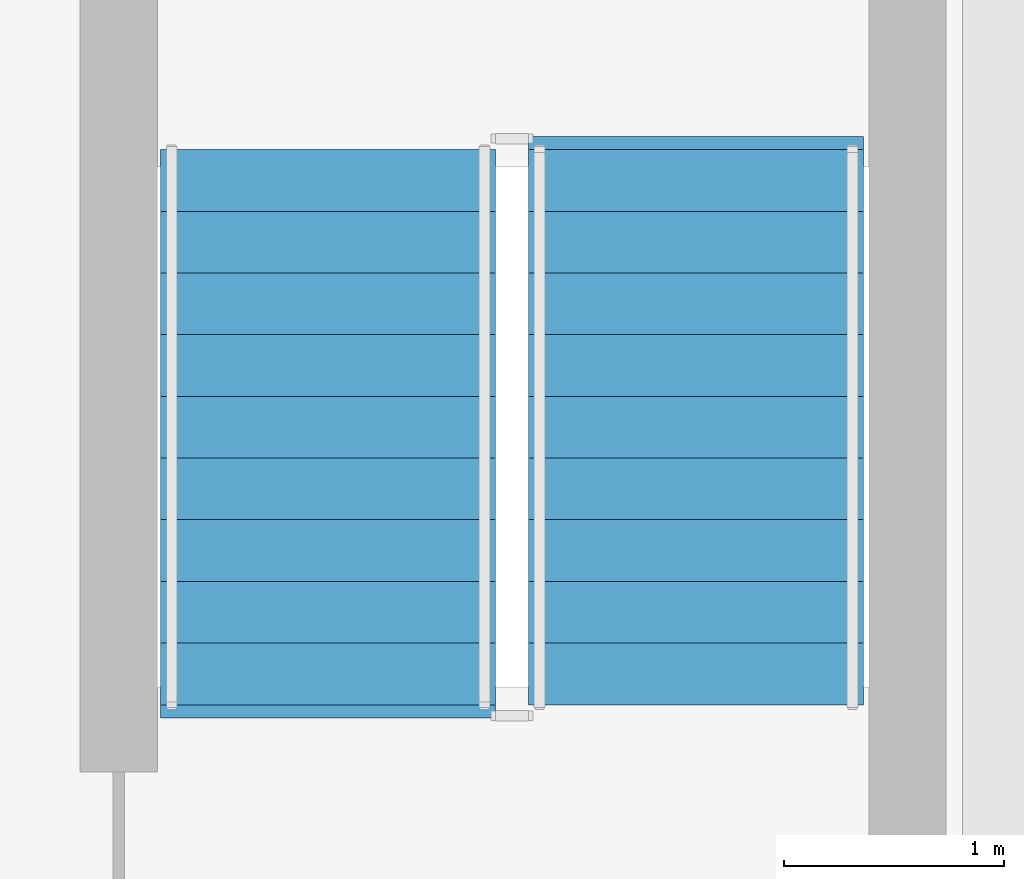
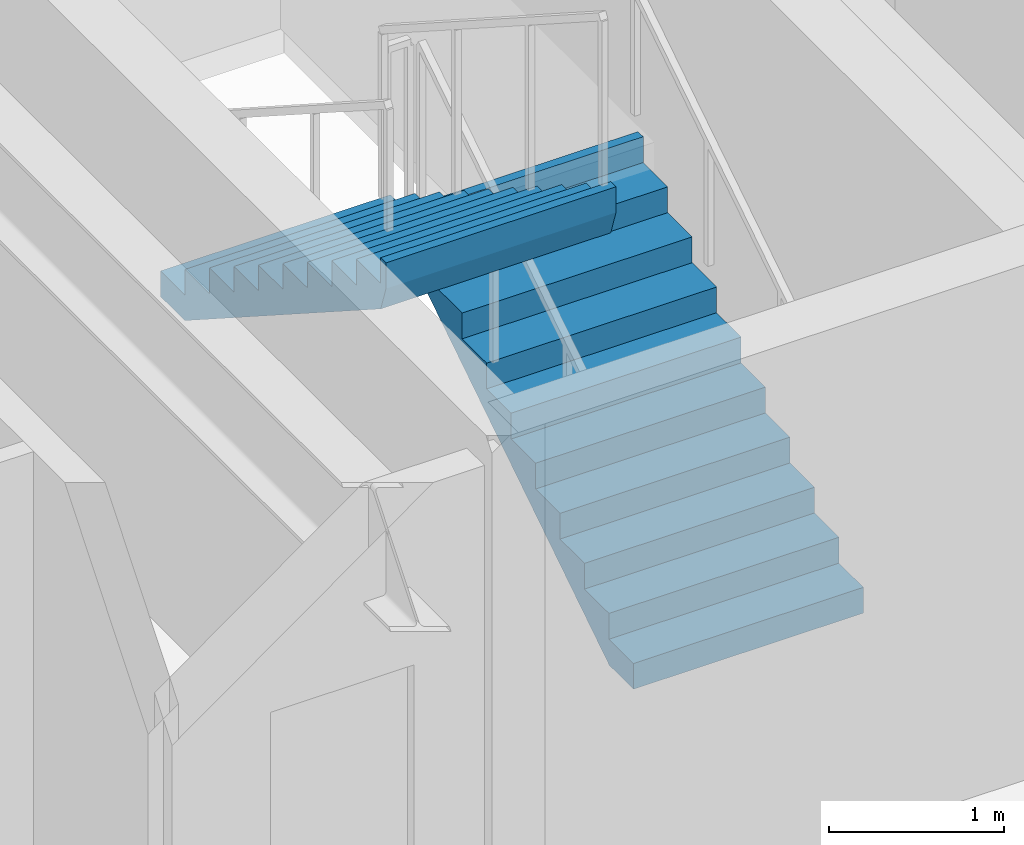
# One storey, part 7 of 10: 2 stair flights, 1 element without a shape of its own.
"""IFC4 building model written with IfcOpenShell, lengths in metres."""

from ifc_helpers import new_model, si_unit, direction, frame, origin, place, context, subcontext, project, spatial, polyline, outline, extrude, material, type_object, element, aggregate, save


model = new_model("IFC4")

# Units and contexts
model_context = context("Model", 3, precision=1e-05, world=origin(), true_north=direction((0.0, 1.0)))
body_context = subcontext(model_context, "Body", "Model", "MODEL_VIEW")
ifc_project = project(units=[si_unit("LENGTHUNIT", "METRE"), si_unit("AREAUNIT", "SQUARE_METRE"), si_unit("VOLUMEUNIT", "CUBIC_METRE"), si_unit("PLANEANGLEUNIT", "RADIAN"), si_unit("MASSUNIT", "GRAM", prefix="KILO")], contexts=[model_context])

# Site, building, storey
site_placement = place(None, origin())
site = spatial("IfcSite", under=ifc_project, at=site_placement, CompositionType="ELEMENT")
building_placement = place(site_placement, origin())
building = spatial("IfcBuilding", under=site, at=building_placement, Name="Orvandelia Arch Residences", CompositionType="ELEMENT")
storey_placement = place(building_placement, frame((0.0, 0.0, 229.0)))
storey = spatial("IfcBuildingStorey", under=building, at=storey_placement, Name="L60", CompositionType="ELEMENT", Elevation=229.0)

# Stair, stair flights
ifc_material = material(Name="Concrete C40/50", Category="concrete")
stair_type = type_object("IfcStairType", Name="STAIR-RC-DOGLEG", PredefinedType="HALF_TURN_STAIR", material=ifc_material)
stair_placement = place(storey_placement, origin())
stair = element("IfcStair", 1, at=stair_placement, inside=storey, type_object=stair_type, Name="L60 East Wing Exit Stair ST-3", PredefinedType="HALF_TURN_STAIR")
stair_flight_type = type_object("IfcStairFlightType", Name="STFLT-RC-1520", PredefinedType="STRAIGHT", material=ifc_material)
stair_flight_1_placement = place(storey_placement, frame((46.639892578125, 37.77001953125, 0.0), z_axis=(0.0, 0.0, 1.0), x_axis=(0.0, 1.0, 0.0)))
stair_flight_1 = element("IfcStairFlight", 2, at=stair_flight_1_placement, type_object=stair_flight_type, Name="ST-3 flight 1", NumberOfRisers=10, NumberOfTreads=9, PredefinedType="STRAIGHT", RiserHeight=0.18, TreadLength=0.28, context=body_context, shape_type="SweptSolid", body=[
    extrude(outline(polyline([(0.0, 0.0), (0.0, 0.179931640625), (0.280029296875, 0.179931640625), (0.280029296875, 0.360107421875), (0.56005859375, 0.360107421875), (0.56005859375, 0.5400390625), (0.840087890625, 0.5400390625), (0.840087890625, 0.719970703125), (1.1201171875, 0.719970703125), (1.1201171875, 0.89990234375), (1.39990234375, 0.89990234375), (1.39990234375, 1.080078125), (1.679931640625, 1.080078125), (1.679931640625, 1.260009765625), (1.9599609375, 1.260009765625), (1.9599609375, 1.43994140625), (2.239990234375, 1.43994140625), (2.239990234375, 1.6201171875), (2.52001953125, 1.6201171875), (2.52001953125, 1.800048828125), (2.580078125, 1.800048828125), (2.580078125, 1.6201171875), (2.52001953125, 1.44189453125), (0.277099609375, 0.0), (0.0, 0.0)])), frame((0.0, 0.760009765625, 0.0), z_axis=(0.0, -1.0, 0.0), x_axis=(1.0, 0.0, 0.0)), (0.0, 0.0, 1.0), 1.52001953125),
])
stair_flight_2_placement = place(storey_placement, frame((44.969970703125, 40.2900390625, 1.800048828125), z_axis=(0.0, 0.0, 1.0), x_axis=(0.0, -1.0, 0.0)))
stair_flight_2 = element("IfcStairFlight", 3, at=stair_flight_2_placement, type_object=stair_flight_type, Name="ST-3 flight 2", NumberOfRisers=10, NumberOfTreads=9, PredefinedType="STRAIGHT", RiserHeight=0.18, TreadLength=0.28, context=body_context, shape_type="SweptSolid", body=[
    extrude(outline(polyline([(0.0, 0.0), (0.0, 0.179931640625), (0.280029296875, 0.179931640625), (0.280029296875, 0.360107421875), (0.56005859375, 0.360107421875), (0.56005859375, 0.5400390625), (0.840087890625, 0.5400390625), (0.840087890625, 0.719970703125), (1.1201171875, 0.719970703125), (1.1201171875, 0.89990234375), (1.39990234375, 0.89990234375), (1.39990234375, 1.080078125), (1.679931640625, 1.080078125), (1.679931640625, 1.260009765625), (1.9599609375, 1.260009765625), (1.9599609375, 1.43994140625), (2.239990234375, 1.43994140625), (2.239990234375, 1.6201171875), (2.52001953125, 1.6201171875), (2.52001953125, 1.800048828125), (2.580078125, 1.800048828125), (2.580078125, 1.6201171875), (2.52001953125, 1.44189453125), (0.277099609375, 0.0), (0.0, 0.0)])), frame((0.0, 0.760009765625, 0.0), z_axis=(0.0, -1.0, 0.0), x_axis=(1.0, 0.0, 0.0)), (0.0, 0.0, 1.0), 1.52001953125),
])
aggregate(stair, [stair_flight_1, stair_flight_2])

save(model, "model.ifc")
